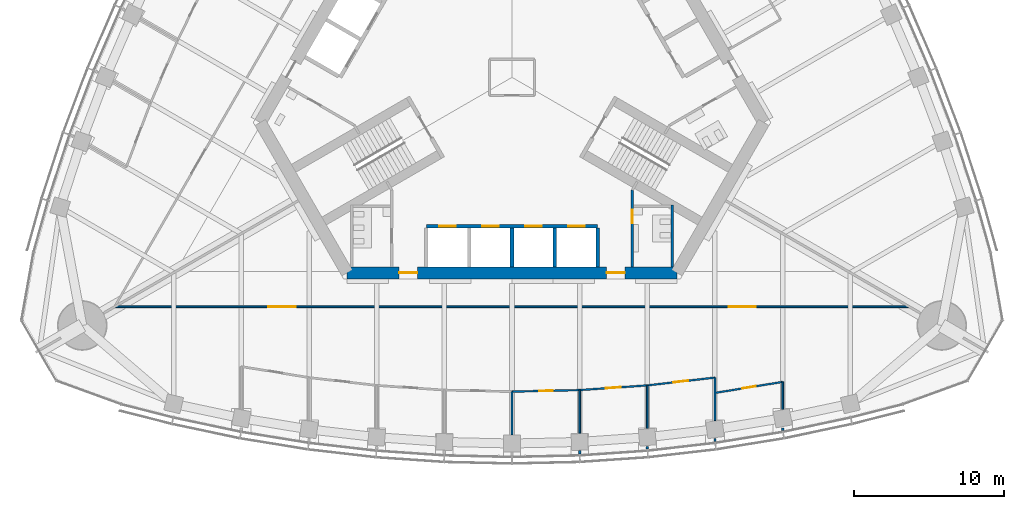
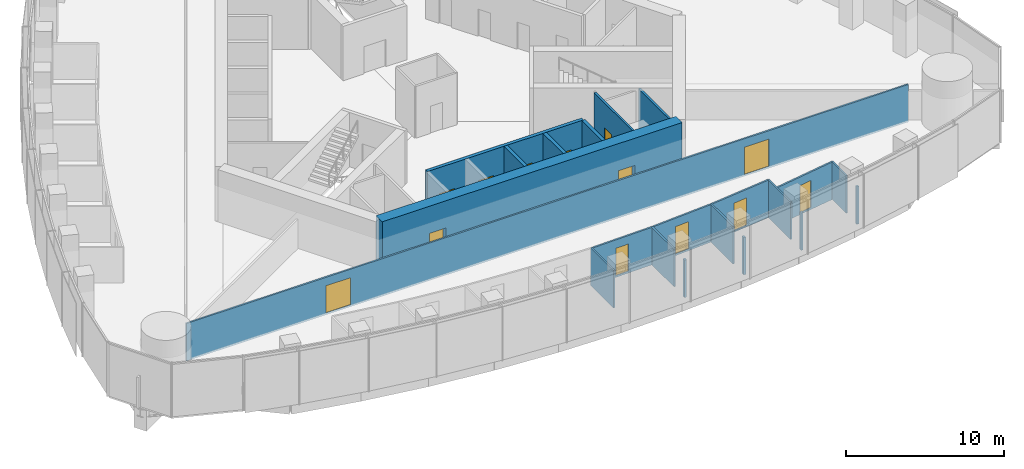
# One storey, part 12 of 20: 21 walls, 13 doors, 13 openings.
"""IFC4 building model written with IfcOpenShell, lengths in metres."""

from ifc_helpers import new_model, si_unit, direction, frame, frame_2d, origin, place, context, subcontext, project, spatial, rectangle, extrude, material, layer, layer_set, type_object, element, fill, save


model = new_model("IFC4")

# Units and contexts
model_context = context("Model", 3, precision=1e-05, world=origin(), true_north=direction((0.0, 1.0)))
body_context = subcontext(model_context, "Body", "Model", "MODEL_VIEW")
ifc_project = project(units=[si_unit("LENGTHUNIT", "METRE"), si_unit("AREAUNIT", "SQUARE_METRE"), si_unit("VOLUMEUNIT", "CUBIC_METRE"), si_unit("PLANEANGLEUNIT", "RADIAN"), si_unit("MASSUNIT", "GRAM", prefix="KILO")], contexts=[model_context])

# Site, building, storey
site_placement = place(None, origin())
site = spatial("IfcSite", under=ifc_project, at=site_placement, CompositionType="ELEMENT")
building_placement = place(site_placement, origin())
building = spatial("IfcBuilding", under=site, at=building_placement, Name="Trefoil Bronze Tower", CompositionType="ELEMENT")
storey_placement = place(building_placement, frame((0.0, 0.0, 219.10009765625)))
storey = spatial("IfcBuildingStorey", under=building, at=storey_placement, Name="L50", CompositionType="ELEMENT", Elevation=219.10009765625)

# Wall, openings, doors
ifc_material_1 = material(Name="Concrete B80", Category="concrete")
ifc_layer_1 = layer(ifc_material_1, 0.800048828125)
ifc_layer_set_1 = layer_set([ifc_layer_1], Name="Core wall 800")
wall_type_1 = type_object("IfcWallType", Name="Core wall 800", PredefinedType="SHEAR", material=ifc_layer_set_1)
wall_1_placement = place(storey_placement, frame((-10.9697265625, -13.0, 0.0), z_axis=(0.0, 0.0, 1.0), x_axis=(1.0, 0.0, 0.0)))
wall_1 = element("IfcWall", 1, at=wall_1_placement, inside=storey, type_object=wall_type_1, Name="Core long wall 1 L50", PredefinedType="SHEAR", context=body_context, shape_type="SweptSolid", body=[
    extrude(rectangle(XDim=21.939453125, YDim=0.800048828125, at=frame_2d((10.9697265625, 0.0))), origin(), (0.0, 0.0, 1.0), 4.199951171875),
])
opening_1_placement = place(wall_1_placement, frame((17.269775390625, 0.0, 0.0)))
opening_1 = element("IfcOpeningElement", 2, at=opening_1_placement, cuts=wall_1, Name="Opening D2", PredefinedType="OPENING", context=body_context, shape_type="SweptSolid", body=[
    extrude(rectangle(XDim=1.199951171875, YDim=2.10009765625, at=frame_2d((0.60009765625, 1.050048828125))), frame((0.0, 0.409912109375, 0.0), z_axis=(0.0, -1.0, 0.0), x_axis=(1.0, 0.0, 0.0)), (0.0, 0.0, 1.0), 0.820068359375),
])
opening_2_placement = place(wall_1_placement, frame((3.4697265625, 0.0, 0.0)))
opening_2 = element("IfcOpeningElement", 3, at=opening_2_placement, cuts=wall_1, Name="Opening D2", PredefinedType="OPENING", context=body_context, shape_type="SweptSolid", body=[
    extrude(rectangle(XDim=1.199951171875, YDim=2.10009765625, at=frame_2d((0.60009765625, 1.050048828125))), frame((0.0, 0.409912109375, 0.0), z_axis=(0.0, -1.0, 0.0), x_axis=(1.0, 0.0, 0.0)), (0.0, 0.0, 1.0), 0.820068359375),
])
ifc_material_2 = material(Name="Steel door", Category="steel")
door_type_1 = type_object("IfcDoorType", Name="Lobby door 1200", OperationType="SINGLE_SWING_RIGHT", PredefinedType="DOOR", material=ifc_material_2)
door_1_placement = place(opening_1_placement, origin())
door_1 = element("IfcDoor", 4, at=door_1_placement, inside=storey, type_object=door_type_1, Name="Lobby door F1+ L50", OperationType="SINGLE_SWING_RIGHT", OverallHeight=2.10009765625, OverallWidth=1.199951171875, PredefinedType="DOOR", context=body_context, shape_type="SweptSolid", body=[
    extrude(rectangle(XDim=1.199951171875, YDim=2.10009765625, at=frame_2d((0.60009765625, 1.050048828125))), frame((0.0, 0.02490234375, 0.0), z_axis=(0.0, -1.0, 0.0), x_axis=(1.0, 0.0, 0.0)), (0.0, 0.0, 1.0), 0.050048828125),
])
fill(opening_1, door_1)
door_2_placement = place(opening_2_placement, origin())
door_2 = element("IfcDoor", 5, at=door_2_placement, inside=storey, type_object=door_type_1, Name="Lobby door F1- L50", OperationType="SINGLE_SWING_LEFT", OverallHeight=2.10009765625, OverallWidth=1.199951171875, PredefinedType="DOOR", context=body_context, shape_type="SweptSolid", body=[
    extrude(rectangle(XDim=1.199951171875, YDim=2.10009765625, at=frame_2d((0.60009765625, 1.050048828125))), frame((0.0, 0.02490234375, 0.0), z_axis=(0.0, -1.0, 0.0), x_axis=(1.0, 0.0, 0.0)), (0.0, 0.0, 1.0), 0.050048828125),
])
fill(opening_2, door_2)

ifc_material_3 = material(Name="Glazed partition", Category="glass")
ifc_layer_2 = layer(ifc_material_3, 0.1201171875)
ifc_layer_set_2 = layer_set([ifc_layer_2], Name="Glazed partition 120")
wall_type_2 = type_object("IfcWallType", Name="Glazed partition 120", PredefinedType="PARTITIONING", material=ifc_layer_set_2)
wall_2_placement = place(storey_placement, frame((-26.398193359375, -15.260009765625, 0.0), z_axis=(0.0, 0.0, 1.0), x_axis=(1.0, 0.0, 0.0)))
wall_2 = element("IfcWall", 6, at=wall_2_placement, inside=storey, type_object=wall_type_2, Name="Partition F1 L50", PredefinedType="PARTITIONING", context=body_context, shape_type="SweptSolid", body=[
    extrude(rectangle(XDim=52.79638671875, YDim=0.1201171875, at=frame_2d((26.398193359375, 0.0))), origin(), (0.0, 0.0, 1.0), 2.89990234375),
])
opening_3_placement = place(wall_2_placement, frame((10.199951171875, 0.0, 0.14990234375)))
opening_3 = element("IfcOpeningElement", 7, at=opening_3_placement, cuts=wall_2, Name="Opening D10", PredefinedType="OPENING", context=body_context, shape_type="SweptSolid", body=[
    extrude(rectangle(XDim=1.800048828125, YDim=2.10009765625, at=frame_2d((0.89990234375, 1.050048828125))), frame((0.0, 0.070068359375, 0.0), z_axis=(0.0, -1.0, 0.0), x_axis=(1.0, 0.0, 0.0)), (0.0, 0.0, 1.0), 0.14013671875),
])
opening_4_placement = place(wall_2_placement, frame((40.800048828125, 0.0, 0.14990234375)))
opening_4 = element("IfcOpeningElement", 8, at=opening_4_placement, cuts=wall_2, Name="Opening D10", PredefinedType="OPENING", context=body_context, shape_type="SweptSolid", body=[
    extrude(rectangle(XDim=1.800048828125, YDim=2.10009765625, at=frame_2d((0.89990234375, 1.050048828125))), frame((0.0, 0.070068359375, 0.0), z_axis=(0.0, -1.0, 0.0), x_axis=(1.0, 0.0, 0.0)), (0.0, 0.0, 1.0), 0.14013671875),
])
ifc_material_4 = material(Name="Timber door", Category="wood")
door_type_2 = type_object("IfcDoorType", Name="Double door 1800", OperationType="DOUBLE_DOOR_SINGLE_SWING", PredefinedType="DOOR", material=ifc_material_4)
door_3_placement = place(opening_3_placement, origin())
door_3 = element("IfcDoor", 9, at=door_3_placement, inside=storey, type_object=door_type_2, Name="Corridor door F1 L50", OperationType="DOUBLE_DOOR_SINGLE_SWING", OverallHeight=2.10009765625, OverallWidth=1.800048828125, PredefinedType="DOOR", context=body_context, shape_type="SweptSolid", body=[
    extrude(rectangle(XDim=1.800048828125, YDim=2.10009765625, at=frame_2d((0.89990234375, 1.050048828125))), frame((0.0, 0.02490234375, 0.0), z_axis=(0.0, -1.0, 0.0), x_axis=(1.0, 0.0, 0.0)), (0.0, 0.0, 1.0), 0.050048828125),
])
fill(opening_3, door_3)
door_4_placement = place(opening_4_placement, origin())
door_4 = element("IfcDoor", 10, at=door_4_placement, inside=storey, type_object=door_type_2, Name="Corridor door F1 L50", OperationType="DOUBLE_DOOR_SINGLE_SWING", OverallHeight=2.10009765625, OverallWidth=1.800048828125, PredefinedType="DOOR", context=body_context, shape_type="SweptSolid", body=[
    extrude(rectangle(XDim=1.800048828125, YDim=2.10009765625, at=frame_2d((0.89990234375, 1.050048828125))), frame((0.0, 0.02490234375, 0.0), z_axis=(0.0, -1.0, 0.0), x_axis=(1.0, 0.0, 0.0)), (0.0, 0.0, 1.0), 0.050048828125),
])
fill(opening_4, door_4)

# Wall, opening, door
wall_3_placement = place(storey_placement, frame((0.0, -20.900634765625, 0.0), z_axis=(0.0, 0.0, 1.0), x_axis=(0.99973552509, 0.022997388381, 0.0)))
wall_3 = element("IfcWall", 11, at=wall_3_placement, inside=storey, type_object=wall_type_2, Name="Partition F1 L50", PredefinedType="PARTITIONING", context=body_context, shape_type="SweptSolid", body=[
    extrude(rectangle(XDim=4.501220703125, YDim=0.1201171875, at=frame_2d((2.25048828125, 0.0))), origin(), (0.0, 0.0, 1.0), 2.89990234375),
])
opening_5_placement = place(wall_3_placement, frame((1.800048828125, 0.0, 0.14990234375)))
opening_5 = element("IfcOpeningElement", 12, at=opening_5_placement, cuts=wall_3, Name="Opening D8", PredefinedType="OPENING", context=body_context, shape_type="SweptSolid", body=[
    extrude(rectangle(XDim=0.89990234375, YDim=2.10009765625, at=frame_2d((0.449951171875, 1.050048828125))), frame((0.0, 0.070068359375, 0.0), z_axis=(0.0, -1.0, 0.0), x_axis=(1.0, 0.0, 0.0)), (0.0, 0.0, 1.0), 0.14013671875),
])
ifc_material_5 = material(Name="Timber door", Category="wood")
door_type_3 = type_object("IfcDoorType", Name="Office door 900", OperationType="SINGLE_SWING_LEFT", PredefinedType="DOOR", material=ifc_material_5)
door_5_placement = place(opening_5_placement, frame((0.89990234375, 0.0, 0.0), z_axis=(0.0, 0.0, 1.0), x_axis=(-1.0, 0.0, 0.0)))
door_5 = element("IfcDoor", 13, at=door_5_placement, inside=storey, type_object=door_type_3, Name="Office door F1 L50", OperationType="SINGLE_SWING_RIGHT", OverallHeight=2.10009765625, OverallWidth=0.89990234375, PredefinedType="DOOR", context=body_context, shape_type="SweptSolid", body=[
    extrude(rectangle(XDim=0.89990234375, YDim=2.10009765625, at=frame_2d((0.449951171875, 1.050048828125))), frame((0.0, 0.02490234375, 0.0), z_axis=(0.0, -1.0, 0.0), x_axis=(1.0, 0.0, 0.0)), (0.0, 0.0, 1.0), 0.050048828125),
])
fill(opening_5, door_5)

wall_4_placement = place(storey_placement, frame((13.5, -20.986083984375, 0.0), z_axis=(0.0, 0.0, 1.0), x_axis=(0.986986525477, 0.160802980469, 0.0)))
wall_4 = element("IfcWall", 14, at=wall_4_placement, inside=storey, type_object=wall_type_2, Name="Partition F1 L50", PredefinedType="PARTITIONING", context=body_context, shape_type="SweptSolid", body=[
    extrude(rectangle(XDim=4.559326171875, YDim=0.1201171875, at=frame_2d((2.27978515625, 0.0))), origin(), (0.0, 0.0, 1.0), 2.89990234375),
])
opening_6_placement = place(wall_4_placement, frame((1.85009765625, 0.0, 0.14990234375)))
opening_6 = element("IfcOpeningElement", 15, at=opening_6_placement, cuts=wall_4, Name="Opening D8", PredefinedType="OPENING", context=body_context, shape_type="SweptSolid", body=[
    extrude(rectangle(XDim=0.89990234375, YDim=2.10009765625, at=frame_2d((0.449951171875, 1.050048828125))), frame((0.0, 0.070068359375, 0.0), z_axis=(0.0, -1.0, 0.0), x_axis=(1.0, 0.0, 0.0)), (0.0, 0.0, 1.0), 0.14013671875),
])
door_6_placement = place(opening_6_placement, frame((0.89990234375, 0.0, 0.0), z_axis=(0.0, 0.0, 1.0), x_axis=(-1.0, 0.0, 0.0)))
door_6 = element("IfcDoor", 16, at=door_6_placement, inside=storey, type_object=door_type_3, Name="Pantry door F1 L50", OperationType="SINGLE_SWING_LEFT", OverallHeight=2.10009765625, OverallWidth=0.89990234375, PredefinedType="DOOR", context=body_context, shape_type="SweptSolid", body=[
    extrude(rectangle(XDim=0.89990234375, YDim=2.10009765625, at=frame_2d((0.449951171875, 1.050048828125))), frame((0.0, 0.02490234375, 0.0), z_axis=(0.0, -1.0, 0.0), x_axis=(1.0, 0.0, 0.0)), (0.0, 0.0, 1.0), 0.050048828125),
])
fill(opening_6, door_6)

wall_5_placement = place(storey_placement, frame((4.5, -20.797119140625, 0.0), z_axis=(0.0, 0.0, 1.0), x_axis=(0.997623533978, 0.068900540297, 0.0)))
wall_5 = element("IfcWall", 17, at=wall_5_placement, inside=storey, type_object=wall_type_2, Name="Partition F1 L50", PredefinedType="PARTITIONING", context=body_context, shape_type="SweptSolid", body=[
    extrude(rectangle(XDim=4.5107421875, YDim=0.1201171875, at=frame_2d((2.25537109375, 0.0))), origin(), (0.0, 0.0, 1.0), 2.89990234375),
])
opening_7_placement = place(wall_5_placement, frame((1.75, 0.0, 0.14990234375)))
opening_7 = element("IfcOpeningElement", 18, at=opening_7_placement, cuts=wall_5, Name="Opening D9", PredefinedType="OPENING", context=body_context, shape_type="SweptSolid", body=[
    extrude(rectangle(XDim=1.0, YDim=2.10009765625, at=frame_2d((0.5, 1.050048828125))), frame((0.0, 0.070068359375, 0.0), z_axis=(0.0, -1.0, 0.0), x_axis=(1.0, 0.0, 0.0)), (0.0, 0.0, 1.0), 0.14013671875),
])
ifc_material_6 = material(Name="Glazed timber door", Category="wood")
door_type_4 = type_object("IfcDoorType", Name="Meeting room door 1000", OperationType="SINGLE_SWING_LEFT", PredefinedType="DOOR", material=ifc_material_6)
door_7_placement = place(opening_7_placement, frame((1.0, 0.0, 0.0), z_axis=(0.0, 0.0, 1.0), x_axis=(-1.0, 0.0, 0.0)))
door_7 = element("IfcDoor", 19, at=door_7_placement, inside=storey, type_object=door_type_4, Name="Meeting room door F1 L50", OperationType="SINGLE_SWING_RIGHT", OverallHeight=2.10009765625, OverallWidth=1.0, PredefinedType="DOOR", context=body_context, shape_type="SweptSolid", body=[
    extrude(rectangle(XDim=1.0, YDim=2.10009765625, at=frame_2d((0.5, 1.050048828125))), frame((0.0, 0.02490234375, 0.0), z_axis=(0.0, -1.0, 0.0), x_axis=(1.0, 0.0, 0.0)), (0.0, 0.0, 1.0), 0.050048828125),
])
fill(opening_7, door_7)

wall_6_placement = place(storey_placement, frame((9.0, -20.486328125, 0.0), z_axis=(0.0, 0.0, 1.0), x_axis=(0.993382946625, 0.114849124309, 0.0)))
wall_6 = element("IfcWall", 20, at=wall_6_placement, inside=storey, type_object=wall_type_2, Name="Partition F1 L50", PredefinedType="PARTITIONING", context=body_context, shape_type="SweptSolid", body=[
    extrude(rectangle(XDim=4.530029296875, YDim=0.1201171875, at=frame_2d((2.26513671875, 0.0))), origin(), (0.0, 0.0, 1.0), 2.89990234375),
])
opening_8_placement = place(wall_6_placement, frame((1.75, 0.0, 0.14990234375)))
opening_8 = element("IfcOpeningElement", 21, at=opening_8_placement, cuts=wall_6, Name="Opening D9", PredefinedType="OPENING", context=body_context, shape_type="SweptSolid", body=[
    extrude(rectangle(XDim=1.0, YDim=2.10009765625, at=frame_2d((0.5, 1.050048828125))), frame((0.0, 0.070068359375, 0.0), z_axis=(0.0, -1.0, 0.0), x_axis=(1.0, 0.0, 0.0)), (0.0, 0.0, 1.0), 0.14013671875),
])
door_8_placement = place(opening_8_placement, frame((1.0, 0.0, 0.0), z_axis=(0.0, 0.0, 1.0), x_axis=(-1.0, 0.0, 0.0)))
door_8 = element("IfcDoor", 22, at=door_8_placement, inside=storey, type_object=door_type_4, Name="Meeting room door F1 L50", OperationType="SINGLE_SWING_RIGHT", OverallHeight=2.10009765625, OverallWidth=1.0, PredefinedType="DOOR", context=body_context, shape_type="SweptSolid", body=[
    extrude(rectangle(XDim=1.0, YDim=2.10009765625, at=frame_2d((0.5, 1.050048828125))), frame((0.0, 0.02490234375, 0.0), z_axis=(0.0, -1.0, 0.0), x_axis=(1.0, 0.0, 0.0)), (0.0, 0.0, 1.0), 0.050048828125),
])
fill(opening_8, door_8)

# Walls
wall_7_placement = place(storey_placement, frame((0.0, -20.900634765625, 0.0), z_axis=(0.0, 0.0, 1.0), x_axis=(0.0, -1.0, 0.0)))
element("IfcWall", 23, at=wall_7_placement, inside=storey, type_object=wall_type_2, Name="Partition F1 L50", PredefinedType="PARTITIONING", context=body_context, shape_type="SweptSolid", body=[
    extrude(rectangle(XDim=2.8701171875, YDim=0.1201171875, at=frame_2d((1.43505859375, 0.0))), origin(), (0.0, 0.0, 1.0), 2.89990234375),
])
wall_8_placement = place(storey_placement, frame((13.5, -19.966064453125, 0.0), z_axis=(0.0, 0.0, 1.0), x_axis=(0.0, -1.0, 0.0)))
element("IfcWall", 24, at=wall_8_placement, inside=storey, type_object=wall_type_2, Name="Partition F1 L50", PredefinedType="PARTITIONING", context=body_context, shape_type="SweptSolid", body=[
    extrude(rectangle(XDim=2.856689453125, YDim=0.1201171875, at=frame_2d((1.42822265625, 0.0))), origin(), (0.0, 0.0, 1.0), 2.89990234375),
])
wall_9_placement = place(storey_placement, frame((18.0, -20.2529296875, 0.0), z_axis=(0.0, 0.0, 1.0), x_axis=(0.0, -1.0, 0.0)))
element("IfcWall", 25, at=wall_9_placement, inside=storey, type_object=wall_type_2, Name="Partition F1 L50", PredefinedType="PARTITIONING", context=body_context, shape_type="SweptSolid", body=[
    extrude(rectangle(XDim=1.826171875, YDim=0.1201171875, at=frame_2d((0.9130859375, 0.0))), origin(), (0.0, 0.0, 1.0), 2.89990234375),
])
wall_10_placement = place(storey_placement, frame((4.5, -20.797119140625, 0.0), z_axis=(0.0, 0.0, 1.0), x_axis=(0.0, -1.0, 0.0)))
element("IfcWall", 26, at=wall_10_placement, inside=storey, type_object=wall_type_2, Name="Partition F1 L50", PredefinedType="PARTITIONING", context=body_context, shape_type="SweptSolid", body=[
    extrude(rectangle(XDim=2.86865234375, YDim=0.1201171875, at=frame_2d((1.434326171875, 0.0))), origin(), (0.0, 0.0, 1.0), 2.89990234375),
])
wall_11_placement = place(storey_placement, frame((9.0, -20.486328125, 0.0), z_axis=(0.0, 0.0, 1.0), x_axis=(0.0, -1.0, 0.0)))
element("IfcWall", 27, at=wall_11_placement, inside=storey, type_object=wall_type_2, Name="Partition F1 L50", PredefinedType="PARTITIONING", context=body_context, shape_type="SweptSolid", body=[
    extrude(rectangle(XDim=2.8642578125, YDim=0.1201171875, at=frame_2d((1.43212890625, 0.0))), origin(), (0.0, 0.0, 1.0), 2.89990234375),
])

# Wall, opening, door
ifc_material_7 = material(Name="Gypsum board on steel studs", Category="steel")
ifc_layer_3 = layer(ifc_material_7, 0.14990234375)
ifc_layer_set_3 = layer_set([ifc_layer_3], Name="Partition 150")
wall_type_3 = type_object("IfcWallType", Name="Partition 150", PredefinedType="PARTITIONING", material=ifc_layer_set_3)
wall_12_placement = place(storey_placement, frame((8.0, -7.5, 0.0), z_axis=(0.0, 0.0, 1.0), x_axis=(0.0, -1.0, 0.0)))
wall_12 = element("IfcWall", 28, at=wall_12_placement, inside=storey, type_object=wall_type_3, Name="Passage wall F1+ L50", PredefinedType="PARTITIONING", context=body_context, shape_type="SweptSolid", body=[
    extrude(rectangle(XDim=5.10009765625, YDim=0.14990234375, at=frame_2d((2.550048828125, 0.0))), origin(), (0.0, 0.0, 1.0), 4.0),
])
opening_9_placement = place(wall_12_placement, frame((1.300048828125, 0.0, 0.0)))
opening_9 = element("IfcOpeningElement", 29, at=opening_9_placement, cuts=wall_12, Name="Opening D3", PredefinedType="OPENING", context=body_context, shape_type="SweptSolid", body=[
    extrude(rectangle(XDim=0.89990234375, YDim=2.10009765625, at=frame_2d((0.449951171875, 1.050048828125))), frame((0.0, 0.0849609375, 0.0), z_axis=(0.0, -1.0, 0.0), x_axis=(1.0, 0.0, 0.0)), (0.0, 0.0, 1.0), 0.169921875),
])
ifc_material_8 = material(Name="Timber door", Category="wood")
door_type_5 = type_object("IfcDoorType", Name="WC door 900", OperationType="SINGLE_SWING_LEFT", PredefinedType="DOOR", material=ifc_material_8)
door_9_placement = place(opening_9_placement, origin())
door_9 = element("IfcDoor", 30, at=door_9_placement, inside=storey, type_object=door_type_5, Name="WC (men) door L50", OperationType="SINGLE_SWING_LEFT", OverallHeight=2.10009765625, OverallWidth=0.89990234375, PredefinedType="DOOR", context=body_context, shape_type="SweptSolid", body=[
    extrude(rectangle(XDim=0.89990234375, YDim=2.10009765625, at=frame_2d((0.449951171875, 1.050048828125))), frame((0.0, 0.02490234375, 0.0), z_axis=(0.0, -1.0, 0.0), x_axis=(1.0, 0.0, 0.0)), (0.0, 0.0, 1.0), 0.050048828125),
])
fill(opening_9, door_9)

# Walls
wall_13_placement = place(storey_placement, frame((10.659912109375, -8.5, 0.0), z_axis=(0.0, 0.0, 1.0), x_axis=(0.0, -1.0, 0.0)))
element("IfcWall", 31, at=wall_13_placement, inside=storey, type_object=wall_type_3, Name="WC partition WC (men) L50", PredefinedType="PARTITIONING", context=body_context, shape_type="SweptSolid", body=[
    extrude(rectangle(XDim=4.10009765625, YDim=0.14990234375, at=frame_2d((2.050048828125, 0.0))), origin(), (0.0, 0.0, 1.0), 4.0),
])
wall_14_placement = place(storey_placement, frame((13.5, -24.032958984375, 0.0), z_axis=(0.0, 0.0, 1.0), x_axis=(0.0, -1.0, 0.0)))
element("IfcWall", 32, at=wall_14_placement, inside=storey, type_object=wall_type_3, Name="Partition F1 L50", PredefinedType="PARTITIONING", context=body_context, shape_type="SweptSolid", body=[
    extrude(rectangle(XDim=0.17822265625, YDim=0.14990234375, at=frame_2d((0.089111328125, 0.0))), origin(), (0.0, 0.0, 1.0), 2.89990234375),
])
wall_15_placement = place(storey_placement, frame((18.0, -23.31494140625, 0.0), z_axis=(0.0, 0.0, 1.0), x_axis=(0.0, -1.0, 0.0)))
element("IfcWall", 33, at=wall_15_placement, inside=storey, type_object=wall_type_3, Name="Partition F1 L50", PredefinedType="PARTITIONING", context=body_context, shape_type="SweptSolid", body=[
    extrude(rectangle(XDim=0.1630859375, YDim=0.14990234375, at=frame_2d((0.08154296875, 0.0))), origin(), (0.0, 0.0, 1.0), 2.89990234375),
])
wall_16_placement = place(storey_placement, frame((4.5, -24.8251953125, 0.0), z_axis=(0.0, 0.0, 1.0), x_axis=(0.0, -1.0, 0.0)))
element("IfcWall", 34, at=wall_16_placement, inside=storey, type_object=wall_type_3, Name="Partition F1 L50", PredefinedType="PARTITIONING", context=body_context, shape_type="SweptSolid", body=[
    extrude(rectangle(XDim=0.217041015625, YDim=0.14990234375, at=frame_2d((0.1083984375, 0.0))), origin(), (0.0, 0.0, 1.0), 2.89990234375),
])
wall_17_placement = place(storey_placement, frame((9.0, -24.535400390625, 0.0), z_axis=(0.0, 0.0, 1.0), x_axis=(0.0, -1.0, 0.0)))
element("IfcWall", 35, at=wall_17_placement, inside=storey, type_object=wall_type_3, Name="Partition F1 L50", PredefinedType="PARTITIONING", context=body_context, shape_type="SweptSolid", body=[
    extrude(rectangle(XDim=0.196044921875, YDim=0.14990234375, at=frame_2d((0.09814453125, 0.0))), origin(), (0.0, 0.0, 1.0), 2.89990234375),
])

# Wall, openings, doors
ifc_material_9 = material(Name="Concrete B80", Category="concrete")
ifc_layer_4 = layer(ifc_material_9, 0.25)
ifc_layer_set_4 = layer_set([ifc_layer_4], Name="Shaft wall 250")
wall_type_4 = type_object("IfcWallType", Name="Shaft wall 250", PredefinedType="SHEAR", material=ifc_layer_set_4)
wall_18_placement = place(storey_placement, frame((-5.699951171875, -9.89990234375, 0.0), z_axis=(0.0, 0.0, 1.0), x_axis=(1.0, 0.0, 0.0)))
wall_18 = element("IfcWall", 36, at=wall_18_placement, inside=storey, type_object=wall_type_4, Name="Lift shaft front wall A L50", PredefinedType="SHEAR", context=body_context, shape_type="SweptSolid", body=[
    extrude(rectangle(XDim=11.39990234375, YDim=0.25, at=frame_2d((5.699951171875, 0.0))), origin(), (0.0, 0.0, 1.0), 4.199951171875),
])
opening_10_placement = place(wall_18_placement, frame((0.875, 0.0, 0.0)))
opening_10 = element("IfcOpeningElement", 37, at=opening_10_placement, cuts=wall_18, Name="Opening LD-P31", PredefinedType="OPENING", context=body_context, shape_type="SweptSolid", body=[
    extrude(rectangle(XDim=1.10009765625, YDim=2.199951171875, at=frame_2d((0.550048828125, 1.10009765625))), frame((0.0, 0.135009765625, 0.0), z_axis=(0.0, -1.0, 0.0), x_axis=(1.0, 0.0, 0.0)), (0.0, 0.0, 1.0), 0.27001953125),
])
opening_11_placement = place(wall_18_placement, frame((3.72509765625, 0.0, 0.0)))
opening_11 = element("IfcOpeningElement", 38, at=opening_11_placement, cuts=wall_18, Name="Opening LD-P32", PredefinedType="OPENING", context=body_context, shape_type="SweptSolid", body=[
    extrude(rectangle(XDim=1.10009765625, YDim=2.199951171875, at=frame_2d((0.550048828125, 1.10009765625))), frame((0.0, 0.135009765625, 0.0), z_axis=(0.0, -1.0, 0.0), x_axis=(1.0, 0.0, 0.0)), (0.0, 0.0, 1.0), 0.27001953125),
])
opening_12_placement = place(wall_18_placement, frame((6.574951171875, 0.0, 0.0)))
opening_12 = element("IfcOpeningElement", 39, at=opening_12_placement, cuts=wall_18, Name="Opening LD-P33", PredefinedType="OPENING", context=body_context, shape_type="SweptSolid", body=[
    extrude(rectangle(XDim=1.10009765625, YDim=2.199951171875, at=frame_2d((0.550048828125, 1.10009765625))), frame((0.0, 0.135009765625, 0.0), z_axis=(0.0, -1.0, 0.0), x_axis=(1.0, 0.0, 0.0)), (0.0, 0.0, 1.0), 0.27001953125),
])
opening_13_placement = place(wall_18_placement, frame((9.425048828125, 0.0, 0.0)))
opening_13 = element("IfcOpeningElement", 40, at=opening_13_placement, cuts=wall_18, Name="Opening LD-P34", PredefinedType="OPENING", context=body_context, shape_type="SweptSolid", body=[
    extrude(rectangle(XDim=1.10009765625, YDim=2.199951171875, at=frame_2d((0.550048828125, 1.10009765625))), frame((0.0, 0.135009765625, 0.0), z_axis=(0.0, -1.0, 0.0), x_axis=(1.0, 0.0, 0.0)), (0.0, 0.0, 1.0), 0.27001953125),
])
ifc_material_10 = material(Name="Steel door", Category="steel")
door_type_6 = type_object("IfcDoorType", Name="Lift landing door 1100", OperationType="DOUBLE_DOOR_SLIDING", PredefinedType="DOOR", material=ifc_material_10)
door_10_placement = place(opening_10_placement, origin())
door_10 = element("IfcDoor", 41, at=door_10_placement, inside=storey, type_object=door_type_6, Name="Lift P31 landing door L50", OperationType="DOUBLE_DOOR_SLIDING", OverallHeight=2.199951171875, OverallWidth=1.10009765625, PredefinedType="DOOR", context=body_context, shape_type="SweptSolid", body=[
    extrude(rectangle(XDim=1.10009765625, YDim=2.199951171875, at=frame_2d((0.550048828125, 1.10009765625))), frame((0.0, 0.02490234375, 0.0), z_axis=(0.0, -1.0, 0.0), x_axis=(1.0, 0.0, 0.0)), (0.0, 0.0, 1.0), 0.050048828125),
])
fill(opening_10, door_10)
door_11_placement = place(opening_11_placement, origin())
door_11 = element("IfcDoor", 42, at=door_11_placement, inside=storey, type_object=door_type_6, Name="Lift P32 landing door L50", OperationType="DOUBLE_DOOR_SLIDING", OverallHeight=2.199951171875, OverallWidth=1.10009765625, PredefinedType="DOOR", context=body_context, shape_type="SweptSolid", body=[
    extrude(rectangle(XDim=1.10009765625, YDim=2.199951171875, at=frame_2d((0.550048828125, 1.10009765625))), frame((0.0, 0.02490234375, 0.0), z_axis=(0.0, -1.0, 0.0), x_axis=(1.0, 0.0, 0.0)), (0.0, 0.0, 1.0), 0.050048828125),
])
fill(opening_11, door_11)
door_12_placement = place(opening_12_placement, origin())
door_12 = element("IfcDoor", 43, at=door_12_placement, inside=storey, type_object=door_type_6, Name="Lift P33 landing door L50", OperationType="DOUBLE_DOOR_SLIDING", OverallHeight=2.199951171875, OverallWidth=1.10009765625, PredefinedType="DOOR", context=body_context, shape_type="SweptSolid", body=[
    extrude(rectangle(XDim=1.10009765625, YDim=2.199951171875, at=frame_2d((0.550048828125, 1.10009765625))), frame((0.0, 0.02490234375, 0.0), z_axis=(0.0, -1.0, 0.0), x_axis=(1.0, 0.0, 0.0)), (0.0, 0.0, 1.0), 0.050048828125),
])
fill(opening_12, door_12)
door_13_placement = place(opening_13_placement, origin())
door_13 = element("IfcDoor", 44, at=door_13_placement, inside=storey, type_object=door_type_6, Name="Lift P34 landing door L50", OperationType="DOUBLE_DOOR_SLIDING", OverallHeight=2.199951171875, OverallWidth=1.10009765625, PredefinedType="DOOR", context=body_context, shape_type="SweptSolid", body=[
    extrude(rectangle(XDim=1.10009765625, YDim=2.199951171875, at=frame_2d((0.550048828125, 1.10009765625))), frame((0.0, 0.02490234375, 0.0), z_axis=(0.0, -1.0, 0.0), x_axis=(1.0, 0.0, 0.0)), (0.0, 0.0, 1.0), 0.050048828125),
])
fill(opening_13, door_13)

# Walls
for number, where, z_axis, x_axis, name in (
    (45, (0.0, -10.02490234375, 0.0), (0.0, 0.0, 1.0), (0.0, -1.0, 0.0), "Lift shaft side wall A2 L50"),
    (46, (2.85009765625, -10.02490234375, 0.0), (0.0, 0.0, 1.0), (0.0, -1.0, 0.0), "Lift shaft side wall A3 L50"),
    (47, (5.699951171875, -10.02490234375, 0.0), (0.0, 0.0, 1.0), (0.0, -1.0, 0.0), "Lift shaft side wall A4 L50"),
):
    element("IfcWall", number, at=place(storey_placement, frame(where, z_axis=z_axis, x_axis=x_axis)), inside=storey, type_object=wall_type_4, Name=name, PredefinedType="SHEAR", context=body_context, shape_type="SweptSolid", body=[
        extrude(rectangle(XDim=2.5751953125, YDim=0.25, at=frame_2d((1.28759765625, 0.0))), origin(), (0.0, 0.0, 1.0), 4.199951171875),
    ])

save(model, "model.ifc")
